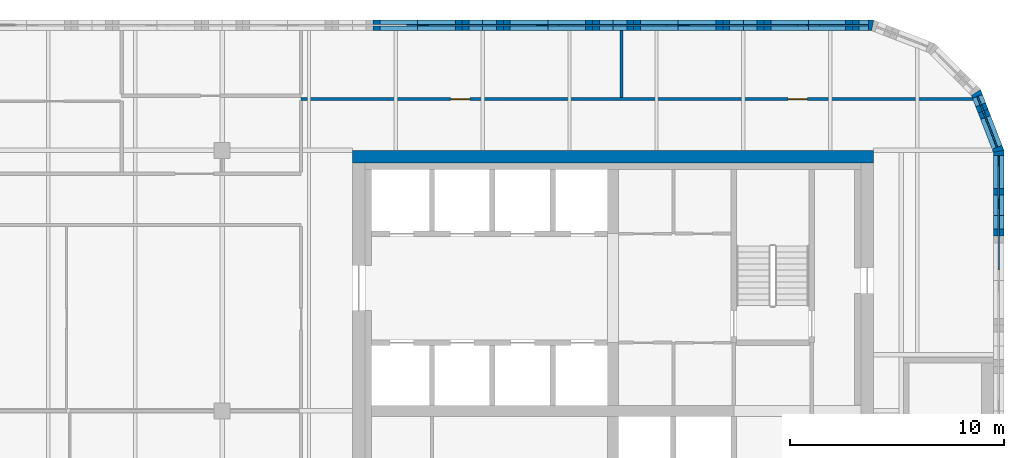
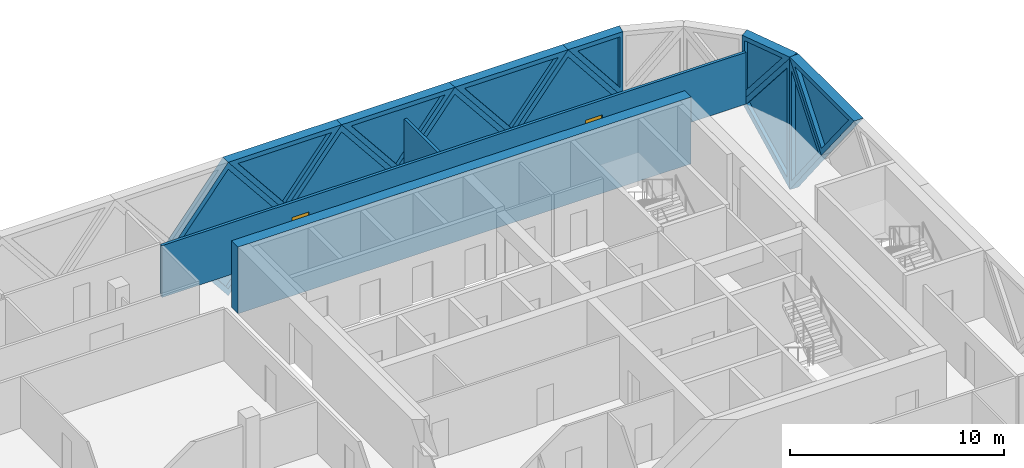
# One storey, part 13 of 15: 15 walls, 12 plates, 2 doors, 14 openings.
"""IFC4 building model written with IfcOpenShell, lengths in metres."""

import ifcopenshell
import ifcopenshell.guid

model = None  # the IFC model being written
_history = None  # IfcOwnerHistory: only IFC2X3 demands one
_inside = {}  # id of a spatial element -> (the spatial element, [elements in it])
_under = {}  # id of a project, library or spatial element -> (it, [spatial elements below it])
_declared = {}  # id of a project -> (the project, [libraries it declares])
_typed = {}  # id of a type object -> (the type object, [elements of that type])
_made_of = {}  # id of a material, layer set ... -> (it, [elements and type objects made of it])


def new_model(schema):
    """Start an empty IFC model of exactly this schema.

    Asked for "IFC4X3", IfcOpenShell would pick the latest addendum, in which some entities
    have other attributes; the version numbers below select the first issue.
    IFC2X3 requires an IfcOwnerHistory on every rooted entity: one is made here for all.
    """
    global model, _history
    if schema == "IFC4X3":
        model = ifcopenshell.file(schema_version=(4, 3, 0, 0))
    else:
        model = ifcopenshell.file(schema=schema)
    _inside.clear()
    _under.clear()
    _declared.clear()
    _typed.clear()
    _made_of.clear()
    _history = None
    if model.schema == "IFC2X3":
        org = make("IfcOrganization", Name="unknown")
        user = make(
            "IfcPersonAndOrganization",
            ThePerson=make("IfcPerson", FamilyName="unknown"),
            TheOrganization=org,
        )
        app = make(
            "IfcApplication",
            ApplicationDeveloper=org,
            Version="unknown",
            ApplicationFullName="unknown",
            ApplicationIdentifier="unknown",
        )
        _history = make(
            "IfcOwnerHistory",
            OwningUser=user,
            OwningApplication=app,
            ChangeAction="ADDED",
            CreationDate=0,
        )
    return model


def make(cls, **values):
    """One entity of the class cls with the attributes given. An attribute that is None is left unset."""
    return model.create_entity(
        cls, **{name: value for name, value in values.items() if value is not None}
    )


def rooted(cls, **values):
    """An entity with a GlobalId (a new one), such as an element, a storey or a relation."""
    return make(cls, GlobalId=ifcopenshell.guid.new(), OwnerHistory=_history, **values)


def si_unit(unit_type, name, prefix=None):
    """IfcSIUnit, for example si_unit("LENGTHUNIT", "METRE", prefix="MILLI")."""
    return make("IfcSIUnit", UnitType=unit_type, Prefix=prefix, Name=name)


def assignment(units):
    """IfcUnitAssignment: the units of a project."""
    return None if units is None else make("IfcUnitAssignment", Units=units)


def point(xyz):
    """IfcCartesianPoint."""
    return None if xyz is None else make("IfcCartesianPoint", Coordinates=xyz)


def direction(xyz):
    """IfcDirection."""
    return None if xyz is None else make("IfcDirection", DirectionRatios=xyz)


def frame(location, z_axis=None, x_axis=None):
    """IfcAxis2Placement3D, a coordinate frame: its origin and axes. An axis left out is left unset."""
    return make(
        "IfcAxis2Placement3D",
        Location=point(location),
        Axis=direction(z_axis),
        RefDirection=direction(x_axis),
    )


def frame_2d(location, x_axis=None):
    """IfcAxis2Placement2D, a coordinate frame in the plane: its origin and x axis."""
    return make(
        "IfcAxis2Placement2D", Location=point(location), RefDirection=direction(x_axis)
    )


def origin():
    """The frame at (0, 0, 0) with its axes left unset."""
    return frame((0.0, 0.0, 0.0))


def place(relative_to, where):
    """IfcLocalPlacement: puts the frame where relative to a parent placement (None: the world)."""
    return make(
        "IfcLocalPlacement", PlacementRelTo=relative_to, RelativePlacement=where
    )


def context(
    kind, dimensions, precision=None, world=None, true_north=None, identifier=None
):
    """IfcGeometricRepresentationContext, for example the 3D "Model" context."""
    return make(
        "IfcGeometricRepresentationContext",
        ContextIdentifier=identifier,
        ContextType=kind,
        CoordinateSpaceDimension=dimensions,
        Precision=precision,
        WorldCoordinateSystem=world,
        TrueNorth=true_north,
    )


def subcontext(parent, identifier, kind, view, scale=None):
    """IfcGeometricRepresentationSubContext, for example "Body" below "Model"."""
    return make(
        "IfcGeometricRepresentationSubContext",
        ContextIdentifier=identifier,
        ContextType=kind,
        ParentContext=parent,
        TargetScale=scale,
        TargetView=view,
    )


def project(units=None, contexts=None):
    """IfcProject with its units and contexts."""
    return rooted(
        "IfcProject",
        Name="project",
        RepresentationContexts=contexts,
        UnitsInContext=assignment(units),
    )


def spatial(cls, under=None, at=None, **own):
    """A site, building, storey or space (cls), placed at a placement, below another one or the project."""
    s = rooted(cls, ObjectPlacement=at, **own)
    if under is not None:
        _under.setdefault(under.id(), (under, []))[1].append(s)
    return s


def polyline(points):
    """IfcPolyline through the points."""
    return make("IfcPolyline", Points=[point(p) for p in points])


def profile(cls, at=None, kind="AREA", **sizes):
    """A parametric profile (cls). Its sizes go by their IFC names, for example OverallWidth=200.0."""
    return make(cls, ProfileType=kind, Position=at, **sizes)


def rectangle(**sizes):
    """IfcRectangleProfileDef."""
    return profile("IfcRectangleProfileDef", **sizes)


def outline(outer, holes=None, kind="AREA"):
    """IfcArbitraryClosedProfileDef: a profile drawn as a closed curve; with holes, ...WithVoids."""
    if holes is None:
        return make("IfcArbitraryClosedProfileDef", ProfileType=kind, OuterCurve=outer)
    return make(
        "IfcArbitraryProfileDefWithVoids",
        ProfileType=kind,
        OuterCurve=outer,
        InnerCurves=holes,
    )


def extrude(swept, where, along, depth):
    """IfcExtrudedAreaSolid: the profile swept, set in the frame where, extruded along a direction by depth."""
    return make(
        "IfcExtrudedAreaSolid",
        SweptArea=swept,
        Position=where,
        ExtrudedDirection=direction(along),
        Depth=depth,
    )


def faces_of(points, faces, orient=None, outer=None):
    """IfcFace entities. A face is a list of loops; a loop is a list of indices into points, from 0.

    orient and outer hold one flag for each loop. By default every Orientation is true, the
    first loop of a face is its IfcFaceOuterBound and the others are IfcFaceBound.
    """
    made = []
    for i, loops in enumerate(faces):
        bounds = []
        for j, loop in enumerate(loops):
            is_outer = j == 0 if outer is None else outer[i][j]
            bounds.append(
                make(
                    "IfcFaceOuterBound" if is_outer else "IfcFaceBound",
                    Bound=make("IfcPolyLoop", Polygon=[points[k] for k in loop]),
                    Orientation=True if orient is None else orient[i][j],
                )
            )
        made.append(make("IfcFace", Bounds=bounds))
    return made


def faceted_brep(points, faces, orient=None, outer=None, voids=None):
    """IfcFacetedBrep: a solid bounded by flat faces; with voids (closed shells), ...WithVoids."""
    shared = [point(p) for p in points]
    hull = make("IfcClosedShell", CfsFaces=faces_of(shared, faces, orient, outer))
    if voids is None:
        return make("IfcFacetedBrep", Outer=hull)
    return make(
        "IfcFacetedBrepWithVoids",
        Outer=hull,
        Voids=[
            make(cls, CfsFaces=faces_of(shared, fs, o, b)) for cls, fs, o, b in voids
        ],
    )


def shape(context_of_items, identifier, shape_type, items):
    """IfcShapeRepresentation: the items that make up one representation, for example the "Body"."""
    return make(
        "IfcShapeRepresentation",
        ContextOfItems=context_of_items,
        RepresentationIdentifier=identifier,
        RepresentationType=shape_type,
        Items=items,
    )


def source(mapping_origin, context_of_items, identifier, shape_type, items):
    """IfcRepresentationMap: a shape defined once, which mapped items show again and again."""
    return make(
        "IfcRepresentationMap",
        MappingOrigin=mapping_origin,
        MappedRepresentation=shape(context_of_items, identifier, shape_type, items),
    )


def transform(
    local_origin,
    x_axis=None,
    y_axis=None,
    z_axis=None,
    scale=None,
    scale2=None,
    scale3=None,
    uniform=True,
):
    """IfcCartesianTransformationOperator3D, or its non-uniform kind. x_axis, y_axis, z_axis: its Axis1, 2, 3."""
    if uniform:
        return make(
            "IfcCartesianTransformationOperator3D",
            Axis1=direction(x_axis),
            Axis2=direction(y_axis),
            LocalOrigin=point(local_origin),
            Scale=scale,
            Axis3=direction(z_axis),
        )
    return make(
        "IfcCartesianTransformationOperator3DnonUniform",
        Axis1=direction(x_axis),
        Axis2=direction(y_axis),
        LocalOrigin=point(local_origin),
        Scale=scale,
        Axis3=direction(z_axis),
        Scale2=scale2,
        Scale3=scale3,
    )


def mapped(mapping_source, mapping_target):
    """IfcMappedItem: shows the shape of a source again, moved by a transform."""
    return make(
        "IfcMappedItem", MappingSource=mapping_source, MappingTarget=mapping_target
    )


def material(Name=None, Category=None):
    """IfcMaterial."""
    return make("IfcMaterial", Name=Name, Category=Category)


def layer(
    of_material, thickness, ventilated=None, Name=None, Category=None, Priority=None
):
    """IfcMaterialLayer: one layer of a wall or slab, of a material (None: an air gap)."""
    return make(
        "IfcMaterialLayer",
        Material=of_material,
        LayerThickness=thickness,
        IsVentilated=ventilated,
        Name=Name,
        Category=Category,
        Priority=Priority,
    )


def layer_set(layers, Name=None):
    """IfcMaterialLayerSet."""
    return make("IfcMaterialLayerSet", MaterialLayers=layers, LayerSetName=Name)


def made_of(thing, what):
    """Note that an element or type object is made of a material, layer set ...; save() writes the relation."""
    if what is not None:
        _made_of.setdefault(what.id(), (what, []))[1].append(thing)
    return thing


def type_object(cls, material=None, **own):
    """A type object (cls), such as IfcWallType, which elements share."""
    return made_of(rooted(cls, **own), material)


def element(
    cls,
    number,
    at=None,
    inside=None,
    cuts=None,
    type_object=None,
    material=None,
    context=None,
    identifier="Body",
    shape_type=None,
    held_by="IfcProductDefinitionShape",
    body=None,
    shapes=None,
    **own,
):
    """One element of the class cls, such as IfcWall. Its Tag is "e" and its number.

    at: its placement. inside: the storey or other place that contains it. cuts: it is an
    opening in that element (IfcRelVoidsElement). A single representation is given by context,
    identifier, shape_type and body (its items); several are given by shapes. held_by: the class
    of the entity that holds the representations. save() writes the other relations.
    """
    e = rooted(cls, Tag="e%d" % number, ObjectPlacement=at, **own)
    if body is not None:
        shapes = [shape(context, identifier, shape_type, body)]
    if shapes is not None:
        e.Representation = make(held_by, Representations=shapes)
    if inside is not None:
        _inside.setdefault(inside.id(), (inside, []))[1].append(e)
    if cuts is not None:
        rooted(
            "IfcRelVoidsElement", RelatingBuildingElement=cuts, RelatedOpeningElement=e
        )
    if type_object is not None:
        _typed.setdefault(type_object.id(), (type_object, []))[1].append(e)
    return made_of(e, material)


def fill(opening, filler):
    """IfcRelFillsElement: the door or window that sits in an opening."""
    return rooted(
        "IfcRelFillsElement",
        RelatingOpeningElement=opening,
        RelatedBuildingElement=filler,
    )


def aggregate(whole, parts):
    """IfcRelAggregates: a whole, such as a stair, and the parts it consists of."""
    return rooted("IfcRelAggregates", RelatingObject=whole, RelatedObjects=parts)


def save(model, path):
    """Write the relations noted so far, then the file.

    IfcRelAggregates (storeys below a building ...), IfcRelContainedInSpatialStructure (elements
    in a storey), IfcRelDefinesByType, IfcRelAssociatesMaterial and IfcRelDeclares: one each for
    every whole, place, type object, material and project.
    """
    for whole, parts in _under.values():
        aggregate(whole, parts)
    for where, things in _inside.values():
        rooted(
            "IfcRelContainedInSpatialStructure",
            RelatedElements=things,
            RelatingStructure=where,
        )
    for kind, things in _typed.values():
        rooted("IfcRelDefinesByType", RelatedObjects=things, RelatingType=kind)
    for what, things in _made_of.values():
        rooted("IfcRelAssociatesMaterial", RelatedObjects=things, RelatingMaterial=what)
    for by, libraries in _declared.values():
        rooted("IfcRelDeclares", RelatingContext=by, RelatedDefinitions=libraries)
    model.write(path)


model = new_model("IFC4")

# Units and contexts
model_context = context("Model", 3, precision=1e-05, world=origin(), true_north=direction((0.0, 1.0)))
body_context = subcontext(model_context, "Body", "Model", "MODEL_VIEW")
ifc_project = project(units=[si_unit("LENGTHUNIT", "METRE"), si_unit("AREAUNIT", "SQUARE_METRE"), si_unit("VOLUMEUNIT", "CUBIC_METRE"), si_unit("PLANEANGLEUNIT", "RADIAN"), si_unit("MASSUNIT", "GRAM", prefix="KILO")], contexts=[model_context])

# Site, building, storey
site_placement = place(None, origin())
site = spatial("IfcSite", under=ifc_project, at=site_placement, CompositionType="ELEMENT")
building_placement = place(site_placement, origin())
building = spatial("IfcBuilding", under=site, at=building_placement, Name="Tessera Gate Towers", CompositionType="ELEMENT")
storey_placement = place(building_placement, frame((0.0, 0.0, 189.60009765625)))
storey = spatial("IfcBuildingStorey", under=building, at=storey_placement, Name="L47", CompositionType="ELEMENT", Elevation=189.60009765625)

# Wall
ifc_material_1 = material(Name="Concrete C50/60", Category="concrete")
ifc_layer_1 = layer(ifc_material_1, 0.60009765625)
ifc_layer_set_1 = layer_set([ifc_layer_1], Name="CORE SHEAR WALL 600 C50/60")
wall_type_1 = type_object("IfcWallType", Name="CORE SHEAR WALL 600 C50/60", PredefinedType="SHEAR", material=ifc_layer_set_1)
wall_1_placement = place(storey_placement, frame((30.5, 48.5, 0.0), z_axis=(0.0, 0.0, 1.0), x_axis=(1.0, 0.0, 0.0)))
element("IfcWall", 1, at=wall_1_placement, inside=storey, type_object=wall_type_1, Name="Core wall N L47", PredefinedType="SHEAR", context=body_context, shape_type="SweptSolid", body=[
    extrude(rectangle(XDim=24.39990234375, YDim=0.60009765625, at=frame_2d((12.199951171875, 0.0))), origin(), (0.0, 0.0, 1.0), 3.7998046875),
])

# Wall, openings, doors
ifc_material_2 = material(Name="Gypsum board on steel studs, mineral wool", Category="steel")
ifc_layer_2 = layer(ifc_material_2, 0.14990234375)
ifc_layer_set_2 = layer_set([ifc_layer_2], Name="CORRIDOR WALL 150")
wall_type_2 = type_object("IfcWallType", Name="CORRIDOR WALL 150", PredefinedType="PARTITIONING", material=ifc_layer_set_2)
wall_2_placement = place(storey_placement, frame((28.10009765625, 51.199951171875, 0.0), z_axis=(0.0, 0.0, 1.0), x_axis=(1.0, 0.0, 0.0)))
wall_2 = element("IfcWall", 2, at=wall_2_placement, inside=storey, type_object=wall_type_2, Name="T1-L47-PW-049", PredefinedType="PARTITIONING", context=body_context, shape_type="SweptSolid", body=[
    extrude(rectangle(XDim=31.438232421875, YDim=0.14990234375, at=frame_2d((15.71923828125, 0.0))), origin(), (0.0, 0.0, 1.0), 2.947021484375),
])
shared_shape_1 = source(origin(), body_context, "Body", "SweptSolid", [
    extrude(rectangle(XDim=0.89990234375, YDim=2.10009765625, at=frame_2d((0.449951171875, 1.050048828125))), frame((0.0, 0.0849609375, 0.0), z_axis=(0.0, -1.0, 0.0), x_axis=(1.0, 0.0, 0.0)), (0.0, 0.0, 1.0), 0.169921875),
])
opening_1_placement = place(wall_2_placement, frame((7.0, 0.0, 0.0)))
opening_1 = element("IfcOpeningElement", 3, at=opening_1_placement, cuts=wall_2, Name="Opening D890FD60-A17-08", PredefinedType="OPENING", context=body_context, shape_type="MappedRepresentation", body=[
    mapped(shared_shape_1, transform((0.0, 0.0, 0.0), scale=1.0)),
])
opening_2_placement = place(wall_2_placement, frame((22.800048828125, 0.0, 0.0)))
opening_2 = element("IfcOpeningElement", 4, at=opening_2_placement, cuts=wall_2, Name="Opening D890FD60-A17-09", PredefinedType="OPENING", context=body_context, shape_type="MappedRepresentation", body=[
    mapped(shared_shape_1, transform((0.0, 0.0, 0.0), scale=1.0)),
])
ifc_material_3 = material(Name="Timber door leaf in steel frame", Category="steel")
door_type = type_object("IfcDoorType", Name="CORRIDOR DOOR 900 FD60", OperationType="NOTDEFINED", PredefinedType="DOOR", material=ifc_material_3)
shared_shape_2 = source(origin(), body_context, "Body", "SweptSolid", [
    extrude(rectangle(XDim=0.89990234375, YDim=2.10009765625, at=frame_2d((0.449951171875, 1.050048828125))), frame((0.0, 0.02490234375, 0.0), z_axis=(0.0, -1.0, 0.0), x_axis=(1.0, 0.0, 0.0)), (0.0, 0.0, 1.0), 0.050048828125),
])
door_1_placement = place(opening_1_placement, origin())
door_1 = element("IfcDoor", 5, at=door_1_placement, inside=storey, type_object=door_type, Name="T1-L47-PD-026", OperationType="SINGLE_SWING_LEFT", OverallHeight=2.10009765625, OverallWidth=0.89990234375, PredefinedType="DOOR", context=body_context, shape_type="MappedRepresentation", body=[
    mapped(shared_shape_2, transform((0.0, 0.0, 0.0), scale=1.0)),
])
fill(opening_1, door_1)
door_2_placement = place(opening_2_placement, origin())
door_2 = element("IfcDoor", 6, at=door_2_placement, inside=storey, type_object=door_type, Name="T1-L47-PD-027", OperationType="SINGLE_SWING_LEFT", OverallHeight=2.10009765625, OverallWidth=0.89990234375, PredefinedType="DOOR", context=body_context, shape_type="MappedRepresentation", body=[
    mapped(shared_shape_2, transform((0.0, 0.0, 0.0), scale=1.0)),
])
fill(opening_2, door_2)

# Wall
ifc_material_4 = material(Name="Gypsum board on steel studs, mineral wool", Category="steel")
ifc_layer_3 = layer(ifc_material_4, 0.14990234375)
ifc_layer_set_3 = layer_set([ifc_layer_3], Name="TENANCY WALL 150")
wall_type_3 = type_object("IfcWallType", Name="TENANCY WALL 150", PredefinedType="PARTITIONING", material=ifc_layer_set_3)
wall_3_placement = place(storey_placement, frame((43.10009765625, 51.27587890625, 0.0), z_axis=(0.0, 0.0, 1.0), x_axis=(0.0, 1.0, 0.0)))
element("IfcWall", 7, at=wall_3_placement, inside=storey, type_object=wall_type_3, Name="T1-L47-PW-050", PredefinedType="PARTITIONING", context=body_context, shape_type="SweptSolid", body=[
    extrude(rectangle(XDim=3.1240234375, YDim=0.14990234375, at=frame_2d((1.56201171875, 0.0))), origin(), (0.0, 0.0, 1.0), 2.947021484375),
])

# Wall, opening, plate
ifc_material_5 = material(Name="Precast concrete C60/75 white", Category="concrete")
ifc_layer_4 = layer(ifc_material_5, 0.5)
ifc_layer_set_4 = layer_set([ifc_layer_4], Name="TS1 tessera")
wall_type_4 = type_object("IfcWallType", Name="TS1 tessera", PredefinedType="SOLIDWALL", material=ifc_layer_set_4)
shared_shape_3 = source(origin(), body_context, "Body", "Brep", [
    faceted_brep([(3.00341796875, -0.25, 0.0), (6.053466796875, -0.25, 3.800048828125), (3.00341796875, -0.25, 7.599853515625), (0.0, -0.25, 3.800048828125), (0.046630859375, 0.25, 3.85888671875), (3.00341796875, 0.25, 7.599853515625), (6.053466796875, 0.25, 3.800048828125), (3.00341796875, 0.25, 0.0), (0.046630859375, 0.25, 3.7412109375), (0.0, 0.0, 3.800048828125)], [[[0, 1, 2, 3]], [[4, 5, 6, 7, 8]], [[7, 6, 1, 0]], [[6, 5, 2, 1]], [[5, 4, 9, 3, 2]], [[8, 7, 0, 3, 9]], [[8, 9, 4]]]),
])
wall_4_placement = place(storey_placement, frame((54.853515625, 54.64990234375, -3.800048828125), z_axis=(0.0, 0.0, 1.0), x_axis=(-1.0, 0.0, 0.0)))
wall_4 = element("IfcWall", 8, at=wall_4_placement, inside=storey, type_object=wall_type_4, Name="Precast tessera T1 TS1-0838", PredefinedType="SOLIDWALL", context=body_context, shape_type="MappedRepresentation", body=[
    mapped(shared_shape_3, transform((0.0, 0.0, 0.0), scale=1.0)),
])
shared_shape_4 = source(origin(), body_context, "Body", "SweptSolid", [
    extrude(outline(polyline([(3.0048828125, 0.401123046875), (5.73291015625, 3.800048828125), (3.0048828125, 7.19873046875), (0.318603515625, 3.800048828125), (3.0048828125, 0.401123046875)])), frame((0.0, 0.260009765625, 0.0), z_axis=(0.0, -1.0, 0.0), x_axis=(1.0, 0.0, 0.0)), (0.0, 0.0, 1.0), 0.52001953125),
])
opening_3_placement = place(wall_4_placement, origin())
opening_3 = element("IfcOpeningElement", 9, at=opening_3_placement, cuts=wall_4, Name="Opening T1-PL2-1710", PredefinedType="OPENING", context=body_context, shape_type="MappedRepresentation", body=[
    mapped(shared_shape_4, transform((0.0, 0.0, 0.0), scale=1.0)),
])
ifc_material_6 = material(Name="Low-e laminated glass", Category="glass")
ifc_layer_5 = layer(ifc_material_6, 0.06005859375)
ifc_layer_set_5 = layer_set([ifc_layer_5], Name="PL2 rhombic pane")
plate_type_1 = type_object("IfcPlateType", Name="PL2 rhombic pane", PredefinedType="SHEET", material=ifc_layer_set_5)
shared_shape_5 = source(origin(), body_context, "Body", "SweptSolid", [
    extrude(outline(polyline([(3.0048828125, 0.401123046875), (5.73291015625, 3.800048828125), (3.0048828125, 7.19873046875), (0.318603515625, 3.800048828125), (3.0048828125, 0.401123046875)])), frame((0.0, 0.030029296875, 0.0), z_axis=(0.0, -1.0, 0.0), x_axis=(1.0, 0.0, 0.0)), (0.0, 0.0, 1.0), 0.06005859375),
])
plate_1_placement = place(opening_3_placement, origin())
plate_1 = element("IfcPlate", 10, at=plate_1_placement, inside=storey, type_object=plate_type_1, Name="Glass pane T1 PL2-1710", PredefinedType="SHEET", context=body_context, shape_type="MappedRepresentation", body=[
    mapped(shared_shape_5, transform((0.0, 0.0, 0.0), scale=1.0)),
])
fill(opening_3, plate_1)

shared_shape_6 = source(origin(), body_context, "Body", "Brep", [
    faceted_brep([(3.050048828125, -0.25, 0.0), (6.099853515625, -0.25, 3.7998046875), (6.099853515625, -0.25, 3.80029296875), (3.050048828125, -0.25, 7.599853515625), (0.0, -0.25, 3.800048828125), (0.0, 0.25, 3.800048828125), (3.050048828125, 0.25, 7.599853515625), (6.099853515625, 0.25, 3.80029296875), (6.099853515625, 0.25, 3.7998046875), (3.050048828125, 0.25, 0.0)], [[[0, 1, 2, 3, 4]], [[5, 6, 7, 8, 9]], [[9, 8, 1, 0]], [[7, 6, 3, 2]], [[6, 5, 4, 3]], [[5, 9, 0, 4]], [[1, 8, 7, 2]]]),
])
wall_5_placement = place(storey_placement, frame((42.699951171875, 54.64990234375, -3.800048828125), z_axis=(0.0, 0.0, 1.0), x_axis=(-1.0, 0.0, 0.0)))
wall_5 = element("IfcWall", 11, at=wall_5_placement, inside=storey, type_object=wall_type_4, Name="Precast tessera T1 TS1-0840", PredefinedType="SOLIDWALL", context=body_context, shape_type="MappedRepresentation", body=[
    mapped(shared_shape_6, transform((0.0, 0.0, 0.0), scale=1.0)),
])
shared_shape_7 = source(origin(), body_context, "Body", "SweptSolid", [
    extrude(outline(polyline([(3.050048828125, 0.3994140625), (5.779541015625, 3.800048828125), (3.050048828125, 7.200439453125), (0.320556640625, 3.800048828125), (3.050048828125, 0.3994140625)])), frame((0.0, 0.260009765625, 0.0), z_axis=(0.0, -1.0, 0.0), x_axis=(1.0, 0.0, 0.0)), (0.0, 0.0, 1.0), 0.52001953125),
])
opening_4_placement = place(wall_5_placement, origin())
opening_4 = element("IfcOpeningElement", 12, at=opening_4_placement, cuts=wall_5, Name="Opening T1-PL2-1712", PredefinedType="OPENING", context=body_context, shape_type="MappedRepresentation", body=[
    mapped(shared_shape_7, transform((0.0, 0.0, 0.0), scale=1.0)),
])
shared_shape_8 = source(origin(), body_context, "Body", "SweptSolid", [
    extrude(outline(polyline([(3.050048828125, 0.3994140625), (5.779541015625, 3.800048828125), (3.050048828125, 7.200439453125), (0.320556640625, 3.800048828125), (3.050048828125, 0.3994140625)])), frame((0.0, 0.030029296875, 0.0), z_axis=(0.0, -1.0, 0.0), x_axis=(1.0, 0.0, 0.0)), (0.0, 0.0, 1.0), 0.06005859375),
])
plate_2_placement = place(opening_4_placement, origin())
plate_2 = element("IfcPlate", 13, at=plate_2_placement, inside=storey, type_object=plate_type_1, Name="Glass pane T1 PL2-1712", PredefinedType="SHEET", context=body_context, shape_type="MappedRepresentation", body=[
    mapped(shared_shape_8, transform((0.0, 0.0, 0.0), scale=1.0)),
])
fill(opening_4, plate_2)

shared_shape_9 = source(origin(), body_context, "Body", "SweptSolid", [
    extrude(outline(polyline([(3.050048828125, 0.0), (6.10009765625, 3.800048828125), (3.050048828125, 7.599853515625), (0.0, 3.800048828125), (3.050048828125, 0.0)])), frame((0.0, 0.25, 0.0), z_axis=(0.0, -1.0, 0.0), x_axis=(1.0, 0.0, 0.0)), (0.0, 0.0, 1.0), 0.5),
])
wall_6_placement = place(storey_placement, frame((48.800048828125, 54.64990234375, -3.800048828125), z_axis=(0.0, 0.0, 1.0), x_axis=(-1.0, 0.0, 0.0)))
wall_6 = element("IfcWall", 14, at=wall_6_placement, inside=storey, type_object=wall_type_4, Name="Precast tessera T1 TS1-0839", PredefinedType="SOLIDWALL", context=body_context, shape_type="MappedRepresentation", body=[
    mapped(shared_shape_9, transform((0.0, 0.0, 0.0), scale=1.0)),
])
opening_5_placement = place(wall_6_placement, origin())
opening_5 = element("IfcOpeningElement", 15, at=opening_5_placement, cuts=wall_6, Name="Opening T1-PL2-1711", PredefinedType="OPENING", context=body_context, shape_type="MappedRepresentation", body=[
    mapped(shared_shape_7, transform((0.0, 0.0, 0.0), scale=1.0)),
])
plate_3_placement = place(opening_5_placement, origin())
plate_3 = element("IfcPlate", 16, at=plate_3_placement, inside=storey, type_object=plate_type_1, Name="Glass pane T1 PL2-1711", PredefinedType="SHEET", context=body_context, shape_type="MappedRepresentation", body=[
    mapped(shared_shape_8, transform((0.0, 0.0, 0.0), scale=1.0)),
])
fill(opening_5, plate_3)

wall_7_placement = place(storey_placement, frame((36.60009765625, 54.64990234375, -3.800048828125), z_axis=(0.0, 0.0, 1.0), x_axis=(-1.0, 0.0, 0.0)))
wall_7 = element("IfcWall", 17, at=wall_7_placement, inside=storey, type_object=wall_type_4, Name="Precast tessera T1 TS1-0841", PredefinedType="SOLIDWALL", context=body_context, shape_type="MappedRepresentation", body=[
    mapped(shared_shape_9, transform((0.0, 0.0, 0.0), scale=1.0)),
])
opening_6_placement = place(wall_7_placement, origin())
opening_6 = element("IfcOpeningElement", 18, at=opening_6_placement, cuts=wall_7, Name="Opening T1-PL2-1713", PredefinedType="OPENING", context=body_context, shape_type="MappedRepresentation", body=[
    mapped(shared_shape_7, transform((0.0, 0.0, 0.0), scale=1.0)),
])
plate_4_placement = place(opening_6_placement, origin())
plate_4 = element("IfcPlate", 19, at=plate_4_placement, inside=storey, type_object=plate_type_1, Name="Glass pane T1 PL2-1713", PredefinedType="SHEET", context=body_context, shape_type="MappedRepresentation", body=[
    mapped(shared_shape_8, transform((0.0, 0.0, 0.0), scale=1.0)),
])
fill(opening_6, plate_4)

ifc_material_7 = material(Name="Precast concrete C60/75 white", Category="concrete")
ifc_layer_6 = layer(ifc_material_7, 0.5)
ifc_layer_set_6 = layer_set([ifc_layer_6], Name="TS3 corner tessera")
wall_type_5 = type_object("IfcWallType", Name="TS3 corner tessera", PredefinedType="SOLIDWALL", material=ifc_layer_set_6)
shared_shape_10 = source(origin(), body_context, "Body", "Brep", [
    faceted_brep([(3.00341796875, -0.25, 0.0), (3.050048828125, -0.25, 0.06005859375), (3.050048828125, -0.25, 7.539794921875), (3.00341796875, -0.25, 7.599853515625), (0.0, -0.25, 3.800048828125), (0.0, 0.25, 3.800048828125), (2.956787109375, 0.25, 7.541015625), (2.956787109375, 0.25, 0.058837890625), (3.00341796875, 0.000244140625, 0.0), (3.00341796875, 0.000244140625, 7.599853515625)], [[[0, 1, 2, 3, 4]], [[5, 6, 7]], [[1, 0, 8]], [[9, 3, 2]], [[6, 5, 4, 3, 9]], [[5, 7, 8, 0, 4]], [[1, 8, 7, 6, 9, 2]]]),
])
wall_8_placement = place(storey_placement, frame((60.75, 45.75, -3.800048828125), z_axis=(0.0, 0.0, 1.0), x_axis=(0.0, 1.0, 0.0)))
wall_8 = element("IfcWall", 20, at=wall_8_placement, inside=storey, type_object=wall_type_5, Name="Precast corner tessera T1 TS3-1085", PredefinedType="SOLIDWALL", context=body_context, shape_type="MappedRepresentation", body=[
    mapped(shared_shape_10, transform((0.0, 0.0, 0.0), scale=1.0)),
])
shared_shape_11 = source(origin(), body_context, "Body", "SweptSolid", [
    extrude(outline(polyline([(2.803466796875, 6.94384765625), (0.318603515625, 3.800048828125), (2.803466796875, 0.65625), (2.803466796875, 6.94384765625)])), frame((0.0, 0.260009765625, 0.0), z_axis=(0.0, -1.0, 0.0), x_axis=(1.0, 0.0, 0.0)), (0.0, 0.0, 1.0), 0.52001953125),
])
opening_7_placement = place(wall_8_placement, origin())
opening_7 = element("IfcOpeningElement", 21, at=opening_7_placement, cuts=wall_8, Name="Opening T1-PL2-1706", PredefinedType="OPENING", context=body_context, shape_type="MappedRepresentation", body=[
    mapped(shared_shape_11, transform((0.0, 0.0, 0.0), scale=1.0)),
])
shared_shape_12 = source(origin(), body_context, "Body", "SweptSolid", [
    extrude(outline(polyline([(2.803466796875, 6.94384765625), (0.318603515625, 3.800048828125), (2.803466796875, 0.65625), (2.803466796875, 6.94384765625)])), frame((0.0, 0.030029296875, 0.0), z_axis=(0.0, -1.0, 0.0), x_axis=(1.0, 0.0, 0.0)), (0.0, 0.0, 1.0), 0.06005859375),
])
plate_5_placement = place(opening_7_placement, origin())
plate_5 = element("IfcPlate", 22, at=plate_5_placement, inside=storey, type_object=plate_type_1, Name="Glass pane T1 PL2-1706", PredefinedType="SHEET", context=body_context, shape_type="MappedRepresentation", body=[
    mapped(shared_shape_12, transform((0.0, 0.0, 0.0), scale=1.0)),
])
fill(opening_7, plate_5)

shared_shape_13 = source(origin(), body_context, "Body", "Brep", [
    faceted_brep([(0.046630859375, -0.25, 0.0), (2.9970703125, -0.25, 3.800048828125), (0.046630859375, -0.25, 7.599853515625), (0.0, -0.25, 7.541015625), (0.0, -0.25, 0.058837890625), (0.09326171875, 0.25, 7.539794921875), (2.9443359375, 0.25, 3.8681640625), (2.9443359375, 0.25, 3.73193359375), (0.09326171875, 0.25, 0.06005859375), (2.9970703125, 0.00048828125, 3.800048828125), (0.046630859375, 0.0, 0.0), (0.046630859375, 0.0, 7.599853515625)], [[[0, 1, 2, 3, 4]], [[5, 6, 7, 8]], [[8, 7, 9, 1, 0, 10]], [[6, 5, 11, 2, 1, 9]], [[3, 2, 11]], [[10, 0, 4]], [[8, 10, 4, 3, 11, 5]], [[7, 6, 9]]]),
])
wall_9_placement = place(storey_placement, frame((60.766845703125, 48.7099609375, -3.800048828125), z_axis=(0.0, 0.0, 1.0), x_axis=(-0.359901446078, 0.932990326376, 0.0)))
wall_9 = element("IfcWall", 23, at=wall_9_placement, inside=storey, type_object=wall_type_5, Name="Precast corner tessera T1 TS3-1086", PredefinedType="SOLIDWALL", context=body_context, shape_type="MappedRepresentation", body=[
    mapped(shared_shape_13, transform((0.0, 0.0, 0.0), scale=1.0)),
])
shared_shape_14 = source(origin(), body_context, "Body", "SweptSolid", [
    extrude(outline(polyline([(0.24658203125, 0.665283203125), (2.6806640625, 3.800048828125), (0.24658203125, 6.934814453125), (0.24658203125, 0.665283203125)])), frame((0.0, 0.260009765625, 0.0), z_axis=(0.0, -1.0, 0.0), x_axis=(1.0, 0.0, 0.0)), (0.0, 0.0, 1.0), 0.52001953125),
])
opening_8_placement = place(wall_9_placement, origin())
opening_8 = element("IfcOpeningElement", 24, at=opening_8_placement, cuts=wall_9, Name="Opening T1-PL2-1707", PredefinedType="OPENING", context=body_context, shape_type="MappedRepresentation", body=[
    mapped(shared_shape_14, transform((0.0, 0.0, 0.0), scale=1.0)),
])
shared_shape_15 = source(origin(), body_context, "Body", "SweptSolid", [
    extrude(outline(polyline([(0.24658203125, 0.665283203125), (2.6806640625, 3.800048828125), (0.24658203125, 6.934814453125), (0.24658203125, 0.665283203125)])), frame((0.0, 0.030029296875, 0.0), z_axis=(0.0, -1.0, 0.0), x_axis=(1.0, 0.0, 0.0)), (0.0, 0.0, 1.0), 0.06005859375),
])
plate_6_placement = place(opening_8_placement, origin())
plate_6 = element("IfcPlate", 25, at=plate_6_placement, inside=storey, type_object=plate_type_1, Name="Glass pane T1 PL2-1707", PredefinedType="SHEET", context=body_context, shape_type="MappedRepresentation", body=[
    mapped(shared_shape_15, transform((0.0, 0.0, 0.0), scale=1.0)),
])
fill(opening_8, plate_6)

shared_shape_16 = source(origin(), body_context, "Body", "Brep", [
    faceted_brep([(0.046630859375, -0.25, 0.0), (3.050048828125, -0.25, 3.7998046875), (0.0, -0.25, 3.7998046875), (0.0, -0.25, 0.06005859375), (0.09326171875, 0.25, 3.7998046875), (3.050048828125, 0.25, 3.7998046875), (0.09326171875, 0.25, 0.058837890625), (0.046630859375, 0.0, 0.0)], [[[0, 1, 2, 3]], [[4, 5, 6]], [[6, 5, 1, 0, 7]], [[5, 4, 2, 1]], [[7, 0, 3]], [[6, 7, 3, 2, 4]]]),
])
wall_10_placement = place(storey_placement, frame((54.900146484375, 54.64990234375, 0.0), z_axis=(0.0, 0.0, 1.0), x_axis=(-1.0, 0.0, 0.0)))
wall_10 = element("IfcWall", 26, at=wall_10_placement, inside=storey, type_object=wall_type_5, Name="Precast corner tessera T1 TS3-1114", PredefinedType="SOLIDWALL", context=body_context, shape_type="MappedRepresentation", body=[
    mapped(shared_shape_16, transform((0.0, 0.0, 0.0), scale=1.0)),
])
shared_shape_17 = source(origin(), body_context, "Body", "SweptSolid", [
    extrude(outline(polyline([(0.24658203125, 0.656005859375), (2.533935546875, 3.5498046875), (0.24658203125, 3.5498046875), (0.24658203125, 0.656005859375)])), frame((0.0, 0.260009765625, 0.0), z_axis=(0.0, -1.0, 0.0), x_axis=(1.0, 0.0, 0.0)), (0.0, 0.0, 1.0), 0.52001953125),
])
opening_9_placement = place(wall_10_placement, origin())
opening_9 = element("IfcOpeningElement", 27, at=opening_9_placement, cuts=wall_10, Name="Opening T1-PL1-0442", PredefinedType="OPENING", context=body_context, shape_type="MappedRepresentation", body=[
    mapped(shared_shape_17, transform((0.0, 0.0, 0.0), scale=1.0)),
])
ifc_material_8 = material(Name="Low-e laminated glass", Category="glass")
ifc_layer_7 = layer(ifc_material_8, 0.06005859375)
ifc_layer_set_7 = layer_set([ifc_layer_7], Name="PL1 triangular pane")
plate_type_2 = type_object("IfcPlateType", Name="PL1 triangular pane", PredefinedType="SHEET", material=ifc_layer_set_7)
shared_shape_18 = source(origin(), body_context, "Body", "SweptSolid", [
    extrude(outline(polyline([(0.24658203125, 0.656005859375), (2.533935546875, 3.5498046875), (0.24658203125, 3.5498046875), (0.24658203125, 0.656005859375)])), frame((0.0, 0.030029296875, 0.0), z_axis=(0.0, -1.0, 0.0), x_axis=(1.0, 0.0, 0.0)), (0.0, 0.0, 1.0), 0.06005859375),
])
plate_7_placement = place(opening_9_placement, origin())
plate_7 = element("IfcPlate", 28, at=plate_7_placement, inside=storey, type_object=plate_type_2, Name="Glass pane T1 PL1-0442", PredefinedType="SHEET", context=body_context, shape_type="MappedRepresentation", body=[
    mapped(shared_shape_18, transform((0.0, 0.0, 0.0), scale=1.0)),
])
fill(opening_9, plate_7)

ifc_material_9 = material(Name="Precast concrete C60/75 white", Category="concrete")
ifc_layer_8 = layer(ifc_material_9, 0.5)
ifc_layer_set_8 = layer_set([ifc_layer_8], Name="TS2 half tessera")
wall_type_6 = type_object("IfcWallType", Name="TS2 half tessera", PredefinedType="SOLIDWALL", material=ifc_layer_set_8)
shared_shape_19 = source(origin(), body_context, "Body", "Brep", [
    faceted_brep([(3.050048828125, -0.25, 0.0), (6.099853515625, -0.25, 3.799560546875), (6.099853515625, -0.25, 3.7998046875), (0.0, -0.25, 3.7998046875), (0.0, 0.25, 3.7998046875), (6.099853515625, 0.25, 3.7998046875), (6.099853515625, 0.25, 3.799560546875), (3.050048828125, 0.25, 0.0)], [[[0, 1, 2, 3]], [[4, 5, 6, 7]], [[7, 6, 1, 0]], [[5, 4, 3, 2]], [[4, 7, 0, 3]], [[1, 6, 5, 2]]]),
])
wall_11_placement = place(storey_placement, frame((39.64990234375, 54.64990234375, 0.0), z_axis=(0.0, 0.0, 1.0), x_axis=(-1.0, 0.0, 0.0)))
wall_11 = element("IfcWall", 29, at=wall_11_placement, inside=storey, type_object=wall_type_6, Name="Precast half tessera T1 TS2-0219", PredefinedType="SOLIDWALL", context=body_context, shape_type="MappedRepresentation", body=[
    mapped(shared_shape_19, transform((0.0, 0.0, 0.0), scale=1.0)),
])
shared_shape_20 = source(origin(), body_context, "Body", "SweptSolid", [
    extrude(outline(polyline([(3.050048828125, 0.3994140625), (5.578857421875, 3.5498046875), (0.521240234375, 3.5498046875), (3.050048828125, 0.3994140625)])), frame((0.0, 0.260009765625, 0.0), z_axis=(0.0, -1.0, 0.0), x_axis=(1.0, 0.0, 0.0)), (0.0, 0.0, 1.0), 0.52001953125),
])
opening_10_placement = place(wall_11_placement, origin())
opening_10 = element("IfcOpeningElement", 30, at=opening_10_placement, cuts=wall_11, Name="Opening T1-PL1-0445", PredefinedType="OPENING", context=body_context, shape_type="MappedRepresentation", body=[
    mapped(shared_shape_20, transform((0.0, 0.0, 0.0), scale=1.0)),
])
shared_shape_21 = source(origin(), body_context, "Body", "SweptSolid", [
    extrude(outline(polyline([(3.050048828125, 0.3994140625), (5.578857421875, 3.5498046875), (0.521240234375, 3.5498046875), (3.050048828125, 0.3994140625)])), frame((0.0, 0.030029296875, 0.0), z_axis=(0.0, -1.0, 0.0), x_axis=(1.0, 0.0, 0.0)), (0.0, 0.0, 1.0), 0.06005859375),
])
plate_8_placement = place(opening_10_placement, origin())
plate_8 = element("IfcPlate", 31, at=plate_8_placement, inside=storey, type_object=plate_type_2, Name="Glass pane T1 PL1-0445", PredefinedType="SHEET", context=body_context, shape_type="MappedRepresentation", body=[
    mapped(shared_shape_21, transform((0.0, 0.0, 0.0), scale=1.0)),
])
fill(opening_10, plate_8)

shared_shape_22 = source(origin(), body_context, "Body", "SweptSolid", [
    extrude(outline(polyline([(3.050048828125, 0.0), (6.10009765625, 3.7998046875), (0.0, 3.7998046875), (3.050048828125, 0.0)])), frame((0.0, 0.25, 0.0), z_axis=(0.0, -1.0, 0.0), x_axis=(1.0, 0.0, 0.0)), (0.0, 0.0, 1.0), 0.5),
])
wall_12_placement = place(storey_placement, frame((51.85009765625, 54.64990234375, 0.0), z_axis=(0.0, 0.0, 1.0), x_axis=(-1.0, 0.0, 0.0)))
wall_12 = element("IfcWall", 32, at=wall_12_placement, inside=storey, type_object=wall_type_6, Name="Precast half tessera T1 TS2-0217", PredefinedType="SOLIDWALL", context=body_context, shape_type="MappedRepresentation", body=[
    mapped(shared_shape_22, transform((0.0, 0.0, 0.0), scale=1.0)),
])
opening_11_placement = place(wall_12_placement, origin())
opening_11 = element("IfcOpeningElement", 33, at=opening_11_placement, cuts=wall_12, Name="Opening T1-PL1-0443", PredefinedType="OPENING", context=body_context, shape_type="MappedRepresentation", body=[
    mapped(shared_shape_20, transform((0.0, 0.0, 0.0), scale=1.0)),
])
plate_9_placement = place(opening_11_placement, origin())
plate_9 = element("IfcPlate", 34, at=plate_9_placement, inside=storey, type_object=plate_type_2, Name="Glass pane T1 PL1-0443", PredefinedType="SHEET", context=body_context, shape_type="MappedRepresentation", body=[
    mapped(shared_shape_21, transform((0.0, 0.0, 0.0), scale=1.0)),
])
fill(opening_11, plate_9)

wall_13_placement = place(storey_placement, frame((45.75, 54.64990234375, 0.0), z_axis=(0.0, 0.0, 1.0), x_axis=(-1.0, 0.0, 0.0)))
wall_13 = element("IfcWall", 35, at=wall_13_placement, inside=storey, type_object=wall_type_6, Name="Precast half tessera T1 TS2-0218", PredefinedType="SOLIDWALL", context=body_context, shape_type="MappedRepresentation", body=[
    mapped(shared_shape_22, transform((0.0, 0.0, 0.0), scale=1.0)),
])
opening_12_placement = place(wall_13_placement, origin())
opening_12 = element("IfcOpeningElement", 36, at=opening_12_placement, cuts=wall_13, Name="Opening T1-PL1-0444", PredefinedType="OPENING", context=body_context, shape_type="MappedRepresentation", body=[
    mapped(shared_shape_20, transform((0.0, 0.0, 0.0), scale=1.0)),
])
plate_10_placement = place(opening_12_placement, origin())
plate_10 = element("IfcPlate", 37, at=plate_10_placement, inside=storey, type_object=plate_type_2, Name="Glass pane T1 PL1-0444", PredefinedType="SHEET", context=body_context, shape_type="MappedRepresentation", body=[
    mapped(shared_shape_21, transform((0.0, 0.0, 0.0), scale=1.0)),
])
fill(opening_12, plate_10)

shared_shape_23 = source(origin(), body_context, "Body", "Brep", [
    faceted_brep([(3.050048828125, -0.25, 0.0), (6.053466796875, -0.25, 3.7998046875), (0.0, -0.25, 3.7998046875), (0.0, 0.25, 3.7998046875), (6.0068359375, 0.25, 3.7998046875), (6.0068359375, 0.25, 3.740966796875), (3.050048828125, 0.25, 0.0), (6.053466796875, 0.0, 3.7998046875)], [[[0, 1, 2]], [[3, 4, 5, 6]], [[6, 5, 7, 1, 0]], [[4, 3, 2, 1, 7]], [[3, 6, 0, 2]], [[5, 4, 7]]]),
])
wall_14_placement = place(storey_placement, frame((60.75, 42.699951171875, 0.0), z_axis=(0.0, 0.0, 1.0), x_axis=(0.0, 1.0, 0.0)))
wall_14 = element("IfcWall", 38, at=wall_14_placement, inside=storey, type_object=wall_type_6, Name="Precast half tessera T1 TS2-0216", PredefinedType="SOLIDWALL", context=body_context, shape_type="MappedRepresentation", body=[
    mapped(shared_shape_23, transform((0.0, 0.0, 0.0), scale=1.0)),
])
shared_shape_24 = source(origin(), body_context, "Body", "SweptSolid", [
    extrude(outline(polyline([(3.048583984375, 0.401123046875), (5.537109375, 3.5498046875), (0.521240234375, 3.5498046875), (3.048583984375, 0.401123046875)])), frame((0.0, 0.260009765625, 0.0), z_axis=(0.0, -1.0, 0.0), x_axis=(1.0, 0.0, 0.0)), (0.0, 0.0, 1.0), 0.52001953125),
])
opening_13_placement = place(wall_14_placement, origin())
opening_13 = element("IfcOpeningElement", 39, at=opening_13_placement, cuts=wall_14, Name="Opening T1-PL1-0438", PredefinedType="OPENING", context=body_context, shape_type="MappedRepresentation", body=[
    mapped(shared_shape_24, transform((0.0, 0.0, 0.0), scale=1.0)),
])
shared_shape_25 = source(origin(), body_context, "Body", "SweptSolid", [
    extrude(outline(polyline([(3.048583984375, 0.401123046875), (5.537109375, 3.5498046875), (0.521240234375, 3.5498046875), (3.048583984375, 0.401123046875)])), frame((0.0, 0.030029296875, 0.0), z_axis=(0.0, -1.0, 0.0), x_axis=(1.0, 0.0, 0.0)), (0.0, 0.0, 1.0), 0.06005859375),
])
plate_11_placement = place(opening_13_placement, origin())
plate_11 = element("IfcPlate", 40, at=plate_11_placement, inside=storey, type_object=plate_type_2, Name="Glass pane T1 PL1-0438", PredefinedType="SHEET", context=body_context, shape_type="MappedRepresentation", body=[
    mapped(shared_shape_25, transform((0.0, 0.0, 0.0), scale=1.0)),
])
fill(opening_13, plate_11)

shared_shape_26 = source(origin(), body_context, "Body", "Brep", [
    faceted_brep([(2.950439453125, -0.25, 0.0), (3.00341796875, -0.25, 0.068359375), (3.00341796875, -0.25, 3.7998046875), (0.0, -0.25, 3.7998046875), (0.046630859375, 0.25, 3.7998046875), (2.897705078125, 0.25, 3.7998046875), (2.897705078125, 0.25, 0.068115234375), (0.046630859375, 0.25, 3.73974609375), (2.950439453125, 0.00048828125, 0.0), (0.0, 0.0, 3.7998046875)], [[[0, 1, 2, 3]], [[4, 5, 6, 7]], [[1, 0, 8]], [[5, 4, 9, 3, 2]], [[7, 6, 8, 0, 3, 9]], [[7, 9, 4]], [[1, 8, 6, 5, 2]]]),
])
wall_15_placement = place(storey_placement, frame((60.75, 48.75341796875, 0.0), z_axis=(0.0, 0.0, 1.0), x_axis=(-0.35992665181, 0.932980602862, 0.0)))
wall_15 = element("IfcWall", 41, at=wall_15_placement, inside=storey, type_object=wall_type_5, Name="Precast corner tessera T1 TS3-1111", PredefinedType="SOLIDWALL", context=body_context, shape_type="MappedRepresentation", body=[
    mapped(shared_shape_26, transform((0.0, 0.0, 0.0), scale=1.0)),
])
shared_shape_27 = source(origin(), body_context, "Body", "SweptSolid", [
    extrude(outline(polyline([(2.75048828125, 3.5498046875), (0.5107421875, 3.5498046875), (2.75048828125, 0.6650390625), (2.75048828125, 3.5498046875)])), frame((0.0, 0.260009765625, 0.0), z_axis=(0.0, -1.0, 0.0), x_axis=(1.0, 0.0, 0.0)), (0.0, 0.0, 1.0), 0.52001953125),
])
opening_14_placement = place(wall_15_placement, origin())
opening_14 = element("IfcOpeningElement", 42, at=opening_14_placement, cuts=wall_15, Name="Opening T1-PL1-0439", PredefinedType="OPENING", context=body_context, shape_type="MappedRepresentation", body=[
    mapped(shared_shape_27, transform((0.0, 0.0, 0.0), scale=1.0)),
])
shared_shape_28 = source(origin(), body_context, "Body", "SweptSolid", [
    extrude(outline(polyline([(2.75048828125, 3.5498046875), (0.5107421875, 3.5498046875), (2.75048828125, 0.6650390625), (2.75048828125, 3.5498046875)])), frame((0.0, 0.030029296875, 0.0), z_axis=(0.0, -1.0, 0.0), x_axis=(1.0, 0.0, 0.0)), (0.0, 0.0, 1.0), 0.06005859375),
])
plate_12_placement = place(opening_14_placement, origin())
plate_12 = element("IfcPlate", 43, at=plate_12_placement, inside=storey, type_object=plate_type_2, Name="Glass pane T1 PL1-0439", PredefinedType="SHEET", context=body_context, shape_type="MappedRepresentation", body=[
    mapped(shared_shape_28, transform((0.0, 0.0, 0.0), scale=1.0)),
])
fill(opening_14, plate_12)

save(model, "model.ifc")
